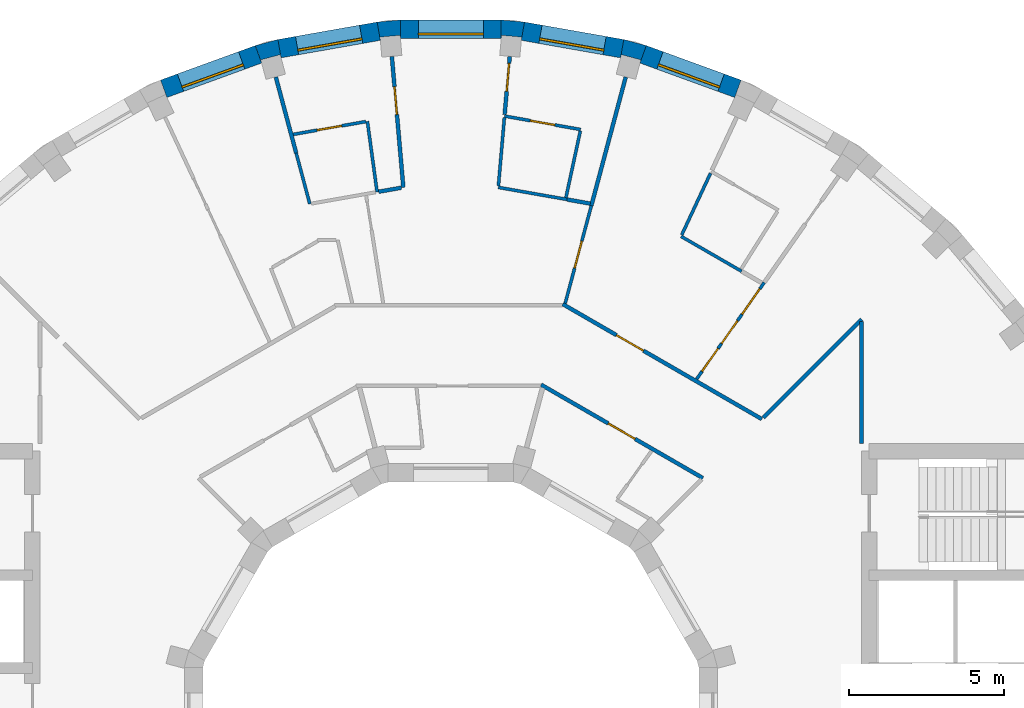
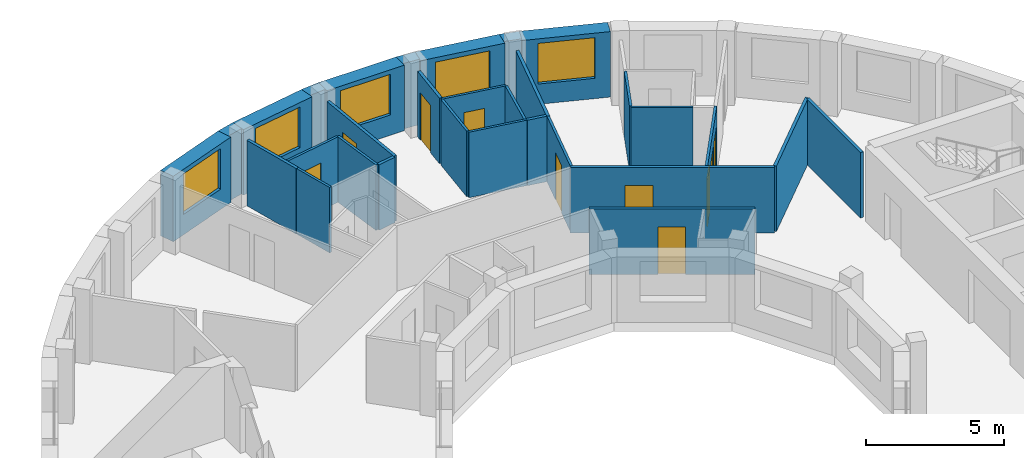
# One storey, part 8 of 10: 30 walls, 10 doors, 5 windows, 15 openings.
"""IFC4 building model written with IfcOpenShell, lengths in metres."""

from ifc_helpers import new_model, si_unit, direction, frame, frame_2d, origin, place, context, subcontext, project, spatial, polyline, rectangle, outline, extrude, material, layer, layer_set, type_object, element, fill, save


model = new_model("IFC4")

# Units and contexts
model_context = context("Model", 3, precision=1e-05, world=origin(), true_north=direction((0.0, 1.0)))
body_context = subcontext(model_context, "Body", "Model", "MODEL_VIEW")
ifc_project = project(units=[si_unit("LENGTHUNIT", "METRE"), si_unit("AREAUNIT", "SQUARE_METRE"), si_unit("VOLUMEUNIT", "CUBIC_METRE"), si_unit("PLANEANGLEUNIT", "RADIAN"), si_unit("MASSUNIT", "GRAM", prefix="KILO")], contexts=[model_context])

# Site, building, storey
site_placement = place(None, origin())
site = spatial("IfcSite", under=ifc_project, at=site_placement, CompositionType="ELEMENT")
building_placement = place(site_placement, origin())
building = spatial("IfcBuilding", under=site, at=building_placement, Name="Saqina Gate Tower", CompositionType="ELEMENT")
storey_placement = place(building_placement, frame((0.0, 0.0, 256.10009765625)))
storey = spatial("IfcBuildingStorey", under=building, at=storey_placement, Name="L73", CompositionType="ELEMENT", Elevation=256.10009765625)

# Walls
ifc_material_1 = material(Name="Brick masonry (buff)", Category="masonry")
wall_type_1 = type_object("IfcWallType", Name="BRICK PIER COPING BUFF", PredefinedType="SOLIDWALL", material=ifc_material_1)
wall_1_placement = place(storey_placement, origin())
element("IfcWall", 1, at=wall_1_placement, inside=storey, type_object=wall_type_1, Name="Pier cap L73 column 8", PredefinedType="SOLIDWALL", context=body_context, shape_type="SweptSolid", body=[
    extrude(outline(polyline([(5.579833984375, 22.281982421875), (5.4755859375, 21.691162109375), (5.5029296875, 21.793212890625), (6.130859375, 21.625), (6.103515625, 21.52294921875), (6.30859375, 22.0869140625), (5.579833984375, 22.281982421875)])), origin(), (0.0, 0.0, 1.0), 2.89990234375),
])
wall_2_placement = place(storey_placement, origin())
element("IfcWall", 2, at=wall_2_placement, inside=storey, type_object=wall_type_1, Name="Pier cap L73 column 9", PredefinedType="SOLIDWALL", context=body_context, shape_type="SweptSolid", body=[
    extrude(outline(polyline([(2.377685546875, 22.8466796875), (1.625732421875, 22.91259765625), (1.625732421875, 22.3125), (1.635009765625, 22.417724609375), (2.28271484375, 22.361083984375), (2.2734375, 22.255859375), (2.377685546875, 22.8466796875)])), origin(), (0.0, 0.0, 1.0), 2.89990234375),
])
wall_3_placement = place(storey_placement, origin())
element("IfcWall", 3, at=wall_3_placement, inside=storey, type_object=wall_type_1, Name="Pier cap L73 column 10", PredefinedType="SOLIDWALL", context=body_context, shape_type="SweptSolid", body=[
    extrude(outline(polyline([(-1.625732421875, 22.91259765625), (-2.377685546875, 22.8466796875), (-2.2734375, 22.255859375), (-2.28271484375, 22.361083984375), (-1.635009765625, 22.417724609375), (-1.625732421875, 22.3125), (-1.625732421875, 22.91259765625)])), origin(), (0.0, 0.0, 1.0), 2.89990234375),
])
wall_4_placement = place(storey_placement, origin())
element("IfcWall", 4, at=wall_4_placement, inside=storey, type_object=wall_type_1, Name="Pier cap L73 column 11", PredefinedType="SOLIDWALL", context=body_context, shape_type="SweptSolid", body=[
    extrude(outline(polyline([(-6.30859375, 22.0869140625), (-6.103515625, 21.52294921875), (-6.130859375, 21.625), (-5.5029296875, 21.793212890625), (-5.4755859375, 21.691162109375), (-5.579833984375, 22.281982421875), (-6.30859375, 22.0869140625)])), origin(), (0.0, 0.0, 1.0), 2.89990234375),
])

# Wall, opening, window
ifc_material_2 = material(Name="Brick masonry (buff)", Category="masonry")
ifc_layer_1 = layer(ifc_material_2, 0.60009765625)
ifc_layer_set_1 = layer_set([ifc_layer_1], Name="FW-BRICK-BUFF")
wall_type_2 = type_object("IfcWallType", Name="FW-BRICK-BUFF", PredefinedType="SOLIDWALL", material=ifc_layer_set_1)
wall_5_placement = place(storey_placement, frame((9.26171875, 20.692626953125, 0.0), z_axis=(0.0, 0.0, 1.0), x_axis=(-0.939679383794, 0.342056509473, 0.0)))
wall_5 = element("IfcWall", 5, at=wall_5_placement, inside=storey, type_object=wall_type_2, Name="Facade wall L73 facet 7", PredefinedType="SOLIDWALL", context=body_context, shape_type="SweptSolid", body=[
    extrude(rectangle(XDim=3.251708984375, YDim=0.60009765625, at=frame_2d((1.6259765625, 0.0))), origin(), (0.0, 0.0, 1.0), 2.89990234375),
])
opening_1_placement = place(wall_5_placement, frame((0.57568359375, 0.0, 0.89990234375)))
opening_1 = element("IfcOpeningElement", 6, at=opening_1_placement, cuts=wall_5, Name="Opening G21-W05", PredefinedType="OPENING", context=body_context, shape_type="SweptSolid", body=[
    extrude(rectangle(XDim=2.10009765625, YDim=1.800048828125, at=frame_2d((1.050048828125, 0.89990234375))), frame((0.0, 0.31201171875, 0.0), z_axis=(0.0, -1.0, 0.0), x_axis=(1.0, 0.0, 0.0)), (0.0, 0.0, 1.0), 0.6240234375),
])
ifc_material_3 = material(Name="Aluminium glazing", Category="aluminium")
window_type = type_object("IfcWindowType", Name="WN-D", PartitioningType="SINGLE_PANEL", PredefinedType="WINDOW", material=ifc_material_3)
window_1_placement = place(opening_1_placement, origin())
window_1 = element("IfcWindow", 7, at=window_1_placement, inside=storey, type_object=window_type, Name="Window L73 facet 7", OverallHeight=1.800048828125, OverallWidth=2.10009765625, PartitioningType="SINGLE_PANEL", PredefinedType="WINDOW", context=body_context, shape_type="SweptSolid", body=[
    extrude(rectangle(XDim=2.10009765625, YDim=1.800048828125, at=frame_2d((1.050048828125, 0.89990234375))), frame((0.0, 0.179931640625, 0.0), z_axis=(0.0, -1.0, 0.0), x_axis=(1.0, 0.0, 0.0)), (0.0, 0.0, 1.0), 0.06005859375),
])
fill(opening_1, window_1)

wall_6_placement = place(storey_placement, frame((5.52783203125, 21.986572265625, 0.0), z_axis=(0.0, 0.0, 1.0), x_axis=(-0.984806225186, 0.173656842178, 0.0)))
wall_6 = element("IfcWall", 8, at=wall_6_placement, inside=storey, type_object=wall_type_2, Name="Facade wall L73 facet 8", PredefinedType="SOLIDWALL", context=body_context, shape_type="SweptSolid", body=[
    extrude(rectangle(XDim=3.251708984375, YDim=0.60009765625, at=frame_2d((1.6259765625, 0.0))), origin(), (0.0, 0.0, 1.0), 2.89990234375),
])
opening_2_placement = place(wall_6_placement, frame((0.57568359375, 0.0, 0.89990234375)))
opening_2 = element("IfcOpeningElement", 9, at=opening_2_placement, cuts=wall_6, Name="Opening G21-W06", PredefinedType="OPENING", context=body_context, shape_type="SweptSolid", body=[
    extrude(rectangle(XDim=2.10009765625, YDim=1.800048828125, at=frame_2d((1.050048828125, 0.89990234375))), frame((0.0, 0.31201171875, 0.0), z_axis=(0.0, -1.0, 0.0), x_axis=(1.0, 0.0, 0.0)), (0.0, 0.0, 1.0), 0.6240234375),
])
window_2_placement = place(opening_2_placement, origin())
window_2 = element("IfcWindow", 10, at=window_2_placement, inside=storey, type_object=window_type, Name="Window L73 facet 8", OverallHeight=1.800048828125, OverallWidth=2.10009765625, PartitioningType="SINGLE_PANEL", PredefinedType="WINDOW", context=body_context, shape_type="SweptSolid", body=[
    extrude(rectangle(XDim=2.10009765625, YDim=1.800048828125, at=frame_2d((1.050048828125, 0.89990234375))), frame((0.0, 0.179931640625, 0.0), z_axis=(0.0, -1.0, 0.0), x_axis=(1.0, 0.0, 0.0)), (0.0, 0.0, 1.0), 0.06005859375),
])
fill(opening_2, window_2)

wall_7_placement = place(storey_placement, frame((1.625732421875, 22.612548828125, 0.0), z_axis=(0.0, 0.0, 1.0), x_axis=(-1.0, 0.0, 0.0)))
wall_7 = element("IfcWall", 11, at=wall_7_placement, inside=storey, type_object=wall_type_2, Name="Facade wall L73 facet 9", PredefinedType="SOLIDWALL", context=body_context, shape_type="SweptSolid", body=[
    extrude(rectangle(XDim=3.25146484375, YDim=0.60009765625, at=frame_2d((1.625732421875, 0.0))), origin(), (0.0, 0.0, 1.0), 2.89990234375),
])
opening_3_placement = place(wall_7_placement, frame((0.57568359375, 0.0, 0.89990234375)))
opening_3 = element("IfcOpeningElement", 12, at=opening_3_placement, cuts=wall_7, Name="Opening G21-W07", PredefinedType="OPENING", context=body_context, shape_type="SweptSolid", body=[
    extrude(rectangle(XDim=2.10009765625, YDim=1.800048828125, at=frame_2d((1.050048828125, 0.89990234375))), frame((0.0, 0.31201171875, 0.0), z_axis=(0.0, -1.0, 0.0), x_axis=(1.0, 0.0, 0.0)), (0.0, 0.0, 1.0), 0.6240234375),
])
window_3_placement = place(opening_3_placement, origin())
window_3 = element("IfcWindow", 13, at=window_3_placement, inside=storey, type_object=window_type, Name="Window L73 facet 9", OverallHeight=1.800048828125, OverallWidth=2.10009765625, PartitioningType="SINGLE_PANEL", PredefinedType="WINDOW", context=body_context, shape_type="SweptSolid", body=[
    extrude(rectangle(XDim=2.10009765625, YDim=1.800048828125, at=frame_2d((1.050048828125, 0.89990234375))), frame((0.0, 0.179931640625, 0.0), z_axis=(0.0, -1.0, 0.0), x_axis=(1.0, 0.0, 0.0)), (0.0, 0.0, 1.0), 0.06005859375),
])
fill(opening_3, window_3)

wall_8_placement = place(storey_placement, frame((-2.325439453125, 22.55126953125, 0.0), z_axis=(0.0, 0.0, 1.0), x_axis=(-0.984806225186, -0.173656842178, 0.0)))
wall_8 = element("IfcWall", 14, at=wall_8_placement, inside=storey, type_object=wall_type_2, Name="Facade wall L73 facet 10", PredefinedType="SOLIDWALL", context=body_context, shape_type="SweptSolid", body=[
    extrude(rectangle(XDim=3.251708984375, YDim=0.60009765625, at=frame_2d((1.6259765625, 0.0))), origin(), (0.0, 0.0, 1.0), 2.89990234375),
])
opening_4_placement = place(wall_8_placement, frame((0.57568359375, 0.0, 0.89990234375)))
opening_4 = element("IfcOpeningElement", 15, at=opening_4_placement, cuts=wall_8, Name="Opening G21-W08", PredefinedType="OPENING", context=body_context, shape_type="SweptSolid", body=[
    extrude(rectangle(XDim=2.10009765625, YDim=1.800048828125, at=frame_2d((1.050048828125, 0.89990234375))), frame((0.0, 0.31201171875, 0.0), z_axis=(0.0, -1.0, 0.0), x_axis=(1.0, 0.0, 0.0)), (0.0, 0.0, 1.0), 0.6240234375),
])
window_4_placement = place(opening_4_placement, origin())
window_4 = element("IfcWindow", 16, at=window_4_placement, inside=storey, type_object=window_type, Name="Window L73 facet 10", OverallHeight=1.800048828125, OverallWidth=2.10009765625, PartitioningType="SINGLE_PANEL", PredefinedType="WINDOW", context=body_context, shape_type="SweptSolid", body=[
    extrude(rectangle(XDim=2.10009765625, YDim=1.800048828125, at=frame_2d((1.050048828125, 0.89990234375))), frame((0.0, 0.179931640625, 0.0), z_axis=(0.0, -1.0, 0.0), x_axis=(1.0, 0.0, 0.0)), (0.0, 0.0, 1.0), 0.06005859375),
])
fill(opening_4, window_4)

wall_9_placement = place(storey_placement, frame((-6.2060546875, 21.804931640625, 0.0), z_axis=(0.0, 0.0, 1.0), x_axis=(-0.939679383794, -0.342056509473, 0.0)))
wall_9 = element("IfcWall", 17, at=wall_9_placement, inside=storey, type_object=wall_type_2, Name="Facade wall L73 facet 11", PredefinedType="SOLIDWALL", context=body_context, shape_type="SweptSolid", body=[
    extrude(rectangle(XDim=3.251708984375, YDim=0.60009765625, at=frame_2d((1.6259765625, 0.0))), origin(), (0.0, 0.0, 1.0), 2.89990234375),
])
opening_5_placement = place(wall_9_placement, frame((0.57568359375, 0.0, 0.89990234375)))
opening_5 = element("IfcOpeningElement", 18, at=opening_5_placement, cuts=wall_9, Name="Opening G21-W09", PredefinedType="OPENING", context=body_context, shape_type="SweptSolid", body=[
    extrude(rectangle(XDim=2.10009765625, YDim=1.800048828125, at=frame_2d((1.050048828125, 0.89990234375))), frame((0.0, 0.31201171875, 0.0), z_axis=(0.0, -1.0, 0.0), x_axis=(1.0, 0.0, 0.0)), (0.0, 0.0, 1.0), 0.6240234375),
])
window_5_placement = place(opening_5_placement, origin())
window_5 = element("IfcWindow", 19, at=window_5_placement, inside=storey, type_object=window_type, Name="Window L73 facet 11", OverallHeight=1.800048828125, OverallWidth=2.10009765625, PartitioningType="SINGLE_PANEL", PredefinedType="WINDOW", context=body_context, shape_type="SweptSolid", body=[
    extrude(rectangle(XDim=2.10009765625, YDim=1.800048828125, at=frame_2d((1.050048828125, 0.89990234375))), frame((0.0, 0.179931640625, 0.0), z_axis=(0.0, -1.0, 0.0), x_axis=(1.0, 0.0, 0.0)), (0.0, 0.0, 1.0), 0.06005859375),
])
fill(opening_5, window_5)

# Walls
ifc_material_4 = material(Name="Gypsum board on steel studs, 100 mm", Category="steel")
ifc_layer_2 = layer(ifc_material_4, 0.10009765625)
ifc_layer_set_2 = layer_set([ifc_layer_2], Name="PARTITION 100")
wall_type_3 = type_object("IfcWallType", Name="PARTITION 100", PredefinedType="PARTITIONING", material=ifc_layer_set_2)
wall_10_placement = place(storey_placement, frame((-2.69189453125, 19.64404296875, 0.0), z_axis=(0.0, 0.0, 1.0), x_axis=(0.135941246579, -0.990716900774, 0.0)))
element("IfcWall", 20, at=wall_10_placement, inside=storey, type_object=wall_type_3, Name="PARTITION PW3-03", PredefinedType="PARTITIONING", context=body_context, shape_type="SweptSolid", body=[
    extrude(rectangle(XDim=2.302490234375, YDim=0.10009765625, at=frame_2d((1.1513671875, 0.0))), origin(), (0.0, 0.0, 1.0), 2.89990234375),
])
wall_11_placement = place(storey_placement, frame((-4.9892578125, 18.62060546875, 0.0), z_axis=(0.0, 0.0, 1.0), x_axis=(0.258601958208, -0.965983968403, 0.0)))
element("IfcWall", 21, at=wall_11_placement, inside=storey, type_object=wall_type_3, Name="PARTITION PW3-06", PredefinedType="PARTITIONING", context=body_context, shape_type="SweptSolid", body=[
    extrude(rectangle(XDim=1.698486328125, YDim=0.10009765625, at=frame_2d((0.84912109375, 0.0))), origin(), (0.0, 0.0, 1.0), 2.89990234375),
])
wall_12_placement = place(storey_placement, frame((7.430908203125, 15.930908203125, 0.0), z_axis=(0.0, 0.0, 1.0), x_axis=(0.866046587367, -0.499963307164, 0.0)))
element("IfcWall", 22, at=wall_12_placement, inside=storey, type_object=wall_type_3, Name="PARTITION PW3-18", PredefinedType="PARTITIONING", context=body_context, shape_type="SweptSolid", body=[
    extrude(rectangle(XDim=2.252197265625, YDim=0.10009765625, at=frame_2d((1.1259765625, 0.0))), origin(), (0.0, 0.0, 1.0), 2.89990234375),
])
wall_13_placement = place(storey_placement, frame((1.531982421875, 17.511962890625, 0.0), z_axis=(0.0, 0.0, 1.0), x_axis=(0.984872829854, -0.173278703295, 0.0)))
element("IfcWall", 23, at=wall_13_placement, inside=storey, type_object=wall_type_3, Name="PARTITION PW3-22", PredefinedType="PARTITIONING", context=body_context, shape_type="SweptSolid", body=[
    extrude(rectangle(XDim=2.25439453125, YDim=0.10009765625, at=frame_2d((1.127197265625, 0.0))), origin(), (0.0, 0.0, 1.0), 2.89990234375),
])

# Wall, opening, door
wall_14_placement = place(storey_placement, frame((1.73291015625, 19.81201171875, 0.0), z_axis=(0.0, 0.0, 1.0), x_axis=(0.984805232191, -0.17366247335, 0.0)))
wall_14 = element("IfcWall", 24, at=wall_14_placement, inside=storey, type_object=wall_type_3, Name="PARTITION PW3-23", PredefinedType="PARTITIONING", context=body_context, shape_type="SweptSolid", body=[
    extrude(rectangle(XDim=2.493896484375, YDim=0.10009765625, at=frame_2d((1.2470703125, 0.0))), origin(), (0.0, 0.0, 1.0), 2.89990234375),
])
opening_6_placement = place(wall_14_placement, frame((0.846923828125, 0.0, 0.0)))
opening_6 = element("IfcOpeningElement", 25, at=opening_6_placement, cuts=wall_14, Name="Opening G21-D10", PredefinedType="OPENING", context=body_context, shape_type="SweptSolid", body=[
    extrude(rectangle(XDim=0.800048828125, YDim=2.10009765625, at=frame_2d((0.39990234375, 1.050048828125))), frame((0.0, 0.06201171875, 0.0), z_axis=(0.0, -1.0, 0.0), x_axis=(1.0, 0.0, 0.0)), (0.0, 0.0, 1.0), 0.1240234375),
])
ifc_material_5 = material(Name="Timber door leaf, 800 mm", Category="wood")
door_type_1 = type_object("IfcDoorType", Name="DOOR 800 TIMBER", OperationType="SINGLE_SWING_LEFT", PredefinedType="DOOR", material=ifc_material_5)
door_1_placement = place(opening_6_placement, origin())
door_1 = element("IfcDoor", 26, at=door_1_placement, inside=storey, type_object=door_type_1, Name="DOOR G21-D10", OperationType="SINGLE_SWING_LEFT", OverallHeight=2.10009765625, OverallWidth=0.800048828125, PredefinedType="DOOR", context=body_context, shape_type="SweptSolid", body=[
    extrude(rectangle(XDim=0.800048828125, YDim=2.10009765625, at=frame_2d((0.39990234375, 1.050048828125))), frame((0.0, 0.02490234375, 0.0), z_axis=(0.0, -1.0, 0.0), x_axis=(1.0, 0.0, 0.0)), (0.0, 0.0, 1.0), 0.050048828125),
])
fill(opening_6, door_1)

wall_15_placement = place(storey_placement, frame((-5.08544921875, 19.220947265625, 0.0), z_axis=(0.0, 0.0, 1.0), x_axis=(0.984739131799, 0.174036899257, 0.0)))
wall_15 = element("IfcWall", 27, at=wall_15_placement, inside=storey, type_object=wall_type_3, Name="PARTITION PW3-31", PredefinedType="PARTITIONING", context=body_context, shape_type="SweptSolid", body=[
    extrude(rectangle(XDim=2.380615234375, YDim=0.10009765625, at=frame_2d((1.1904296875, 0.0))), origin(), (0.0, 0.0, 1.0), 2.89990234375),
])
opening_7_placement = place(wall_15_placement, frame((0.783935546875, 0.0, 0.0)))
opening_7 = element("IfcOpeningElement", 28, at=opening_7_placement, cuts=wall_15, Name="Opening G21-D16", PredefinedType="OPENING", context=body_context, shape_type="SweptSolid", body=[
    extrude(rectangle(XDim=0.800048828125, YDim=2.10009765625, at=frame_2d((0.39990234375, 1.050048828125))), frame((0.0, 0.06201171875, 0.0), z_axis=(0.0, -1.0, 0.0), x_axis=(1.0, 0.0, 0.0)), (0.0, 0.0, 1.0), 0.1240234375),
])
door_2_placement = place(opening_7_placement, origin())
door_2 = element("IfcDoor", 29, at=door_2_placement, inside=storey, type_object=door_type_1, Name="DOOR G21-D16", OperationType="SINGLE_SWING_LEFT", OverallHeight=2.10009765625, OverallWidth=0.800048828125, PredefinedType="DOOR", context=body_context, shape_type="SweptSolid", body=[
    extrude(rectangle(XDim=0.800048828125, YDim=2.10009765625, at=frame_2d((0.39990234375, 1.050048828125))), frame((0.0, 0.02490234375, 0.0), z_axis=(0.0, -1.0, 0.0), x_axis=(1.0, 0.0, 0.0)), (0.0, 0.0, 1.0), 0.050048828125),
])
fill(opening_7, door_2)

# Wall, openings, doors
wall_16_placement = place(storey_placement, frame((7.93017578125, 11.3251953125, 0.0), z_axis=(0.0, 0.0, 1.0), x_axis=(0.57357434303, 0.819153510044, 0.0)))
wall_16 = element("IfcWall", 30, at=wall_16_placement, inside=storey, type_object=wall_type_3, Name="PARTITION PW3-37", PredefinedType="PARTITIONING", context=body_context, shape_type="SweptSolid", body=[
    extrude(rectangle(XDim=3.803466796875, YDim=0.10009765625, at=frame_2d((1.90185546875, 0.0))), origin(), (0.0, 0.0, 1.0), 2.89990234375),
])
opening_8_placement = place(wall_16_placement, frame((0.30615234375, 0.0, 0.0)))
opening_8 = element("IfcOpeningElement", 31, at=opening_8_placement, cuts=wall_16, Name="Opening G21-D02", PredefinedType="OPENING", context=body_context, shape_type="SweptSolid", body=[
    extrude(rectangle(XDim=0.89990234375, YDim=2.10009765625, at=frame_2d((0.449951171875, 1.050048828125))), frame((0.0, 0.06201171875, 0.0), z_axis=(0.0, -1.0, 0.0), x_axis=(1.0, 0.0, 0.0)), (0.0, 0.0, 1.0), 0.1240234375),
])
opening_9_placement = place(wall_16_placement, frame((1.406005859375, 0.0, 0.0)))
opening_9 = element("IfcOpeningElement", 32, at=opening_9_placement, cuts=wall_16, Name="Opening G21-D03", PredefinedType="OPENING", context=body_context, shape_type="SweptSolid", body=[
    extrude(rectangle(XDim=0.89990234375, YDim=2.10009765625, at=frame_2d((0.449951171875, 1.050048828125))), frame((0.0, 0.06201171875, 0.0), z_axis=(0.0, -1.0, 0.0), x_axis=(1.0, 0.0, 0.0)), (0.0, 0.0, 1.0), 0.1240234375),
])
opening_10_placement = place(wall_16_placement, frame((2.55615234375, 0.0, 0.0)))
opening_10 = element("IfcOpeningElement", 33, at=opening_10_placement, cuts=wall_16, Name="Opening G21-D04", PredefinedType="OPENING", context=body_context, shape_type="SweptSolid", body=[
    extrude(rectangle(XDim=1.0, YDim=2.10009765625, at=frame_2d((0.5, 1.050048828125))), frame((0.0, 0.06201171875, 0.0), z_axis=(0.0, -1.0, 0.0), x_axis=(1.0, 0.0, 0.0)), (0.0, 0.0, 1.0), 0.1240234375),
])
ifc_material_6 = material(Name="Timber door leaf, 1000 mm", Category="wood")
door_type_2 = type_object("IfcDoorType", Name="DOOR 1000 TIMBER", OperationType="SINGLE_SWING_LEFT", PredefinedType="DOOR", material=ifc_material_6)
door_3_placement = place(opening_10_placement, frame((1.0, 0.0, 0.0), z_axis=(0.0, 0.0, 1.0), x_axis=(-1.0, 0.0, 0.0)))
door_3 = element("IfcDoor", 34, at=door_3_placement, inside=storey, type_object=door_type_2, Name="DOOR G21-D04", OperationType="SINGLE_SWING_LEFT", OverallHeight=2.10009765625, OverallWidth=1.0, PredefinedType="DOOR", context=body_context, shape_type="SweptSolid", body=[
    extrude(rectangle(XDim=1.0, YDim=2.10009765625, at=frame_2d((0.5, 1.050048828125))), frame((0.0, 0.02490234375, 0.0), z_axis=(0.0, -1.0, 0.0), x_axis=(1.0, 0.0, 0.0)), (0.0, 0.0, 1.0), 0.050048828125),
])
fill(opening_10, door_3)
ifc_material_7 = material(Name="Timber door leaf, 900 mm", Category="wood")
door_type_3 = type_object("IfcDoorType", Name="DOOR 900 TIMBER", OperationType="SINGLE_SWING_LEFT", PredefinedType="DOOR", material=ifc_material_7)
door_4_placement = place(opening_8_placement, frame((0.89990234375, 0.0, 0.0), z_axis=(0.0, 0.0, 1.0), x_axis=(-1.0, 0.0, 0.0)))
door_4 = element("IfcDoor", 35, at=door_4_placement, inside=storey, type_object=door_type_3, Name="DOOR G21-D02", OperationType="SINGLE_SWING_RIGHT", OverallHeight=2.10009765625, OverallWidth=0.89990234375, PredefinedType="DOOR", context=body_context, shape_type="SweptSolid", body=[
    extrude(rectangle(XDim=0.89990234375, YDim=2.10009765625, at=frame_2d((0.449951171875, 1.050048828125))), frame((0.0, 0.02490234375, 0.0), z_axis=(0.0, -1.0, 0.0), x_axis=(1.0, 0.0, 0.0)), (0.0, 0.0, 1.0), 0.050048828125),
])
fill(opening_8, door_4)
door_5_placement = place(opening_9_placement, frame((0.89990234375, 0.0, 0.0), z_axis=(0.0, 0.0, 1.0), x_axis=(-1.0, 0.0, 0.0)))
door_5 = element("IfcDoor", 36, at=door_5_placement, inside=storey, type_object=door_type_3, Name="DOOR G21-D03", OperationType="SINGLE_SWING_RIGHT", OverallHeight=2.10009765625, OverallWidth=0.89990234375, PredefinedType="DOOR", context=body_context, shape_type="SweptSolid", body=[
    extrude(rectangle(XDim=0.89990234375, YDim=2.10009765625, at=frame_2d((0.449951171875, 1.050048828125))), frame((0.0, 0.02490234375, 0.0), z_axis=(0.0, -1.0, 0.0), x_axis=(1.0, 0.0, 0.0)), (0.0, 0.0, 1.0), 0.050048828125),
])
fill(opening_9, door_5)

# Wall
wall_17_placement = place(storey_placement, frame((7.4501953125, 15.977294921875, 0.0), z_axis=(0.0, 0.0, 1.0), x_axis=(0.422642091252, 0.906296674772, 0.0)))
element("IfcWall", 37, at=wall_17_placement, inside=storey, type_object=wall_type_3, Name="PARTITION PW3-41", PredefinedType="PARTITIONING", context=body_context, shape_type="SweptSolid", body=[
    extrude(rectangle(XDim=2.19677734375, YDim=0.10009765625, at=frame_2d((1.098388671875, 0.0))), origin(), (0.0, 0.0, 1.0), 2.89990234375),
])

# Wall, opening, door
wall_18_placement = place(storey_placement, frame((3.690185546875, 13.770263671875, 0.0), z_axis=(0.0, 0.0, 1.0), x_axis=(0.258711132493, 0.965954734925, 0.0)))
wall_18 = element("IfcWall", 38, at=wall_18_placement, inside=storey, type_object=wall_type_3, Name="PARTITION PW3-43", PredefinedType="PARTITIONING", context=body_context, shape_type="SweptSolid", body=[
    extrude(rectangle(XDim=3.260498046875, YDim=0.10009765625, at=frame_2d((1.63037109375, 0.0))), origin(), (0.0, 0.0, 1.0), 2.89990234375),
])
opening_11_placement = place(wall_18_placement, frame((1.1806640625, 0.0, 0.0)))
opening_11 = element("IfcOpeningElement", 39, at=opening_11_placement, cuts=wall_18, Name="Opening G21-D09", PredefinedType="OPENING", context=body_context, shape_type="SweptSolid", body=[
    extrude(rectangle(XDim=0.89990234375, YDim=2.10009765625, at=frame_2d((0.449951171875, 1.050048828125))), frame((0.0, 0.06201171875, 0.0), z_axis=(0.0, -1.0, 0.0), x_axis=(1.0, 0.0, 0.0)), (0.0, 0.0, 1.0), 0.1240234375),
])
door_6_placement = place(opening_11_placement, origin())
door_6 = element("IfcDoor", 40, at=door_6_placement, inside=storey, type_object=door_type_3, Name="DOOR G21-D09", OperationType="SINGLE_SWING_RIGHT", OverallHeight=2.10009765625, OverallWidth=0.89990234375, PredefinedType="DOOR", context=body_context, shape_type="SweptSolid", body=[
    extrude(rectangle(XDim=0.89990234375, YDim=2.10009765625, at=frame_2d((0.449951171875, 1.050048828125))), frame((0.0, 0.02490234375, 0.0), z_axis=(0.0, -1.0, 0.0), x_axis=(1.0, 0.0, 0.0)), (0.0, 0.0, 1.0), 0.050048828125),
])
fill(opening_11, door_6)

# Walls
wall_19_placement = place(storey_placement, frame((3.713623046875, 17.178955078125, 0.0), z_axis=(0.0, 0.0, 1.0), x_axis=(0.21121821869, 0.977438931133, 0.0)))
element("IfcWall", 41, at=wall_19_placement, inside=storey, type_object=wall_type_3, Name="PARTITION PW3-46", PredefinedType="PARTITIONING", context=body_context, shape_type="SweptSolid", body=[
    extrude(rectangle(XDim=2.20068359375, YDim=0.10009765625, at=frame_2d((1.100341796875, 0.0))), origin(), (0.0, 0.0, 1.0), 2.89990234375),
])
wall_20_placement = place(storey_placement, frame((1.536376953125, 17.562744140625, 0.0), z_axis=(0.0, 0.0, 1.0), x_axis=(0.087135400637, 0.996196477587, 0.0)))
element("IfcWall", 42, at=wall_20_placement, inside=storey, type_object=wall_type_3, Name="PARTITION PW3-50", PredefinedType="PARTITIONING", context=body_context, shape_type="SweptSolid", body=[
    extrude(rectangle(XDim=2.207763671875, YDim=0.10009765625, at=frame_2d((1.10400390625, 0.0))), origin(), (0.0, 0.0, 1.0), 2.89990234375),
])

# Wall, opening, door
ifc_material_8 = material(Name="Gypsum board on steel studs, 125 mm, fire rated", Category="steel")
ifc_layer_3 = layer(ifc_material_8, 0.125)
ifc_layer_set_3 = layer_set([ifc_layer_3], Name="PARTITION EI 30 125")
wall_type_4 = type_object("IfcWallType", Name="PARTITION EI 30 125", PredefinedType="PARTITIONING", material=ifc_layer_set_3)
wall_21_placement = place(storey_placement, frame((-1.9013671875, 21.73193359375, 0.0), z_axis=(0.0, 0.0, 1.0), x_axis=(0.087219152914, -0.996189148387, 0.0)))
wall_21 = element("IfcWall", 43, at=wall_21_placement, inside=storey, type_object=wall_type_4, Name="PARTITION PW1-01", PredefinedType="PARTITIONING", context=body_context, shape_type="SweptSolid", body=[
    extrude(rectangle(XDim=4.235107421875, YDim=0.125, at=frame_2d((2.11767578125, 0.0))), origin(), (0.0, 0.0, 1.0), 2.89990234375),
])
opening_12_placement = place(wall_21_placement, frame((0.97607421875, 0.0, 0.0)))
opening_12 = element("IfcOpeningElement", 44, at=opening_12_placement, cuts=wall_21, Name="Opening G21-D13", PredefinedType="OPENING", context=body_context, shape_type="SweptSolid", body=[
    extrude(rectangle(XDim=0.89990234375, YDim=2.10009765625, at=frame_2d((0.449951171875, 1.050048828125))), frame((0.0, 0.074462890625, 0.0), z_axis=(0.0, -1.0, 0.0), x_axis=(1.0, 0.0, 0.0)), (0.0, 0.0, 1.0), 0.14892578125),
])
ifc_material_9 = material(Name="Fire door leaf EI 30, 900 mm")
door_type_4 = type_object("IfcDoorType", Name="DOOR 900 EI 30", OperationType="SINGLE_SWING_LEFT", PredefinedType="DOOR", material=ifc_material_9)
door_7_placement = place(opening_12_placement, origin())
door_7 = element("IfcDoor", 45, at=door_7_placement, inside=storey, type_object=door_type_4, Name="DOOR G21-D13", OperationType="SINGLE_SWING_LEFT", OverallHeight=2.10009765625, OverallWidth=0.89990234375, PredefinedType="DOOR", context=body_context, shape_type="SweptSolid", body=[
    extrude(rectangle(XDim=0.89990234375, YDim=2.10009765625, at=frame_2d((0.449951171875, 1.050048828125))), frame((0.0, 0.02490234375, 0.0), z_axis=(0.0, -1.0, 0.0), x_axis=(1.0, 0.0, 0.0)), (0.0, 0.0, 1.0), 0.050048828125),
])
fill(opening_12, door_7)

# Wall
wall_22_placement = place(storey_placement, frame((-5.64599609375, 21.07177734375, 0.0), z_axis=(0.0, 0.0, 1.0), x_axis=(0.258914025253, -0.965900371429, 0.0)))
element("IfcWall", 46, at=wall_22_placement, inside=storey, type_object=wall_type_4, Name="PARTITION PW1-03", PredefinedType="PARTITIONING", context=body_context, shape_type="SweptSolid", body=[
    extrude(rectangle(XDim=2.537353515625, YDim=0.125, at=frame_2d((1.2685546875, 0.0))), origin(), (0.0, 0.0, 1.0), 2.89990234375),
])

# Wall, opening, door
wall_23_placement = place(storey_placement, frame((2.91455078125, 11.14599609375, 0.0), z_axis=(0.0, 0.0, 1.0), x_axis=(0.866022982797, -0.500004193249, 0.0)))
wall_23 = element("IfcWall", 47, at=wall_23_placement, inside=storey, type_object=wall_type_4, Name="PARTITION PW1-11", PredefinedType="PARTITIONING", context=body_context, shape_type="SweptSolid", body=[
    extrude(rectangle(XDim=6.02587890625, YDim=0.125, at=frame_2d((3.012939453125, 0.0))), origin(), (0.0, 0.0, 1.0), 2.89990234375),
])
opening_13_placement = place(wall_23_placement, frame((2.498291015625, 0.0, 0.0)))
opening_13 = element("IfcOpeningElement", 48, at=opening_13_placement, cuts=wall_23, Name="Opening G21-D06", PredefinedType="OPENING", context=body_context, shape_type="SweptSolid", body=[
    extrude(rectangle(XDim=1.0, YDim=2.10009765625, at=frame_2d((0.5, 1.050048828125))), frame((0.0, 0.074462890625, 0.0), z_axis=(0.0, -1.0, 0.0), x_axis=(1.0, 0.0, 0.0)), (0.0, 0.0, 1.0), 0.14892578125),
])
ifc_material_10 = material(Name="Fire door leaf EI 30, 1000 mm")
door_type_5 = type_object("IfcDoorType", Name="DOOR 1000 EI 30", OperationType="SINGLE_SWING_LEFT", PredefinedType="DOOR", material=ifc_material_10)
door_8_placement = place(opening_13_placement, origin())
door_8 = element("IfcDoor", 49, at=door_8_placement, inside=storey, type_object=door_type_5, Name="DOOR G21-D06", OperationType="SINGLE_SWING_LEFT", OverallHeight=2.10009765625, OverallWidth=1.0, PredefinedType="DOOR", context=body_context, shape_type="SweptSolid", body=[
    extrude(rectangle(XDim=1.0, YDim=2.10009765625, at=frame_2d((0.5, 1.050048828125))), frame((0.0, 0.02490234375, 0.0), z_axis=(0.0, -1.0, 0.0), x_axis=(1.0, 0.0, 0.0)), (0.0, 0.0, 1.0), 0.050048828125),
])
fill(opening_13, door_8)

wall_24_placement = place(storey_placement, frame((3.610595703125, 13.74658203125, 0.0), z_axis=(0.0, 0.0, 1.0), x_axis=(0.865964194244, -0.500106003051, 0.0)))
wall_24 = element("IfcWall", 50, at=wall_24_placement, inside=storey, type_object=wall_type_4, Name="PARTITION PW1-12", PredefinedType="PARTITIONING", context=body_context, shape_type="SweptSolid", body=[
    extrude(rectangle(XDim=7.419921875, YDim=0.125, at=frame_2d((3.7099609375, 0.0))), origin(), (0.0, 0.0, 1.0), 2.89990234375),
])
opening_14_placement = place(wall_24_placement, frame((2.00732421875, 0.0, 0.0)))
opening_14 = element("IfcOpeningElement", 51, at=opening_14_placement, cuts=wall_24, Name="Opening G21-D08", PredefinedType="OPENING", context=body_context, shape_type="SweptSolid", body=[
    extrude(rectangle(XDim=1.0, YDim=2.10009765625, at=frame_2d((0.5, 1.050048828125))), frame((0.0, 0.074462890625, 0.0), z_axis=(0.0, -1.0, 0.0), x_axis=(1.0, 0.0, 0.0)), (0.0, 0.0, 1.0), 0.14892578125),
])
door_9_placement = place(opening_14_placement, origin())
door_9 = element("IfcDoor", 52, at=door_9_placement, inside=storey, type_object=door_type_5, Name="DOOR G21-D08", OperationType="SINGLE_SWING_LEFT", OverallHeight=2.10009765625, OverallWidth=1.0, PredefinedType="DOOR", context=body_context, shape_type="SweptSolid", body=[
    extrude(rectangle(XDim=1.0, YDim=2.10009765625, at=frame_2d((0.5, 1.050048828125))), frame((0.0, 0.02490234375, 0.0), z_axis=(0.0, -1.0, 0.0), x_axis=(1.0, 0.0, 0.0)), (0.0, 0.0, 1.0), 0.050048828125),
])
fill(opening_14, door_9)

# Walls
wall_25_placement = place(storey_placement, frame((3.752197265625, 17.12109375, 0.0), z_axis=(0.0, 0.0, 1.0), x_axis=(0.984637536595, -0.174610771512, 0.0)))
element("IfcWall", 53, at=wall_25_placement, inside=storey, type_object=wall_type_4, Name="PARTITION PW1-15", PredefinedType="PARTITIONING", context=body_context, shape_type="SweptSolid", body=[
    extrude(rectangle(XDim=0.75927734375, YDim=0.125, at=frame_2d((0.379638671875, 0.0))), origin(), (0.0, 0.0, 1.0), 2.89990234375),
])
wall_26_placement = place(storey_placement, frame((-2.329833984375, 17.37158203125, 0.0), z_axis=(0.0, 0.0, 1.0), x_axis=(0.984852515296, 0.173394126532, 0.0)))
element("IfcWall", 54, at=wall_26_placement, inside=storey, type_object=wall_type_4, Name="PARTITION PW1-22", PredefinedType="PARTITIONING", context=body_context, shape_type="SweptSolid", body=[
    extrude(rectangle(XDim=0.74755859375, YDim=0.125, at=frame_2d((0.373779296875, 0.0))), origin(), (0.0, 0.0, 1.0), 2.89990234375),
])
wall_27_placement = place(storey_placement, frame((10.080078125, 10.080078125, 0.0), z_axis=(0.0, 0.0, 1.0), x_axis=(0.707106781187, 0.707106781187, 0.0)))
element("IfcWall", 55, at=wall_27_placement, inside=storey, type_object=wall_type_4, Name="PARTITION PW1-30", PredefinedType="PARTITIONING", context=body_context, shape_type="SweptSolid", body=[
    extrude(rectangle(XDim=4.48291015625, YDim=0.125, at=frame_2d((2.241455078125, 0.0))), origin(), (0.0, 0.0, 1.0), 2.89990234375),
])
wall_28_placement = place(storey_placement, frame((4.533935546875, 16.919677734375, 0.0), z_axis=(0.0, 0.0, 1.0), x_axis=(0.258154015952, 0.966103774989, 0.0)))
element("IfcWall", 56, at=wall_28_placement, inside=storey, type_object=wall_type_4, Name="PARTITION PW1-36", PredefinedType="PARTITIONING", context=body_context, shape_type="SweptSolid", body=[
    extrude(rectangle(XDim=4.29833984375, YDim=0.125, at=frame_2d((2.149169921875, 0.0))), origin(), (0.0, 0.0, 1.0), 2.89990234375),
])

# Wall, opening, door
wall_29_placement = place(storey_placement, frame((1.7373046875, 19.86181640625, 0.0), z_axis=(0.0, 0.0, 1.0), x_axis=(0.08726374649, 0.996185243089, 0.0)))
wall_29 = element("IfcWall", 57, at=wall_29_placement, inside=storey, type_object=wall_type_4, Name="PARTITION PW1-37", PredefinedType="PARTITIONING", context=body_context, shape_type="SweptSolid", body=[
    extrude(rectangle(XDim=1.877197265625, YDim=0.125, at=frame_2d((0.9384765625, 0.0))), origin(), (0.0, 0.0, 1.0), 2.89990234375),
])
opening_15_placement = place(wall_29_placement, frame((0.7548828125, 0.0, 0.0)))
opening_15 = element("IfcOpeningElement", 58, at=opening_15_placement, cuts=wall_29, Name="Opening G21-D11", PredefinedType="OPENING", context=body_context, shape_type="SweptSolid", body=[
    extrude(rectangle(XDim=0.89990234375, YDim=2.10009765625, at=frame_2d((0.449951171875, 1.050048828125))), frame((0.0, 0.074462890625, 0.0), z_axis=(0.0, -1.0, 0.0), x_axis=(1.0, 0.0, 0.0)), (0.0, 0.0, 1.0), 0.14892578125),
])
door_10_placement = place(opening_15_placement, origin())
door_10 = element("IfcDoor", 59, at=door_10_placement, inside=storey, type_object=door_type_4, Name="DOOR G21-D11", OperationType="SINGLE_SWING_RIGHT", OverallHeight=2.10009765625, OverallWidth=0.89990234375, PredefinedType="DOOR", context=body_context, shape_type="SweptSolid", body=[
    extrude(rectangle(XDim=0.89990234375, YDim=2.10009765625, at=frame_2d((0.449951171875, 1.050048828125))), frame((0.0, 0.02490234375, 0.0), z_axis=(0.0, -1.0, 0.0), x_axis=(1.0, 0.0, 0.0)), (0.0, 0.0, 1.0), 0.050048828125),
])
fill(opening_15, door_10)

# Wall
wall_30_placement = place(storey_placement, frame((13.25, 9.25, 0.0), z_axis=(0.0, 0.0, 1.0), x_axis=(0.0, 1.0, 0.0)))
element("IfcWall", 60, at=wall_30_placement, inside=storey, type_object=wall_type_4, Name="PARTITION PW1-39", PredefinedType="PARTITIONING", context=body_context, shape_type="SweptSolid", body=[
    extrude(rectangle(XDim=3.9375, YDim=0.125, at=frame_2d((1.96875, 0.0))), origin(), (0.0, 0.0, 1.0), 2.89990234375),
])

save(model, "model.ifc")
